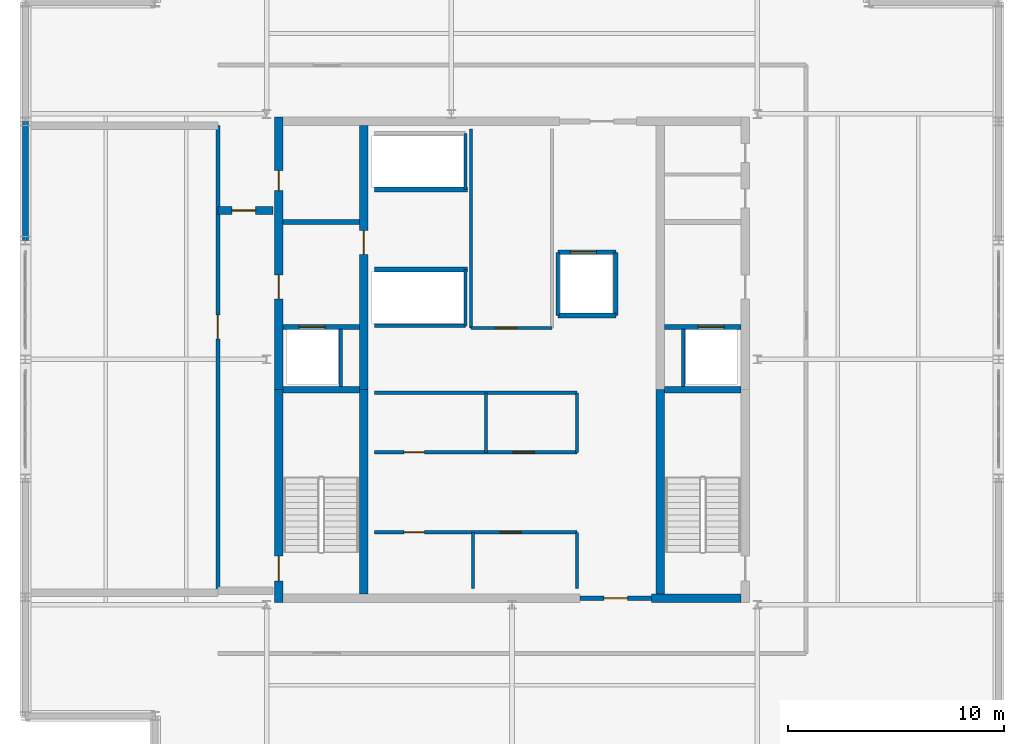
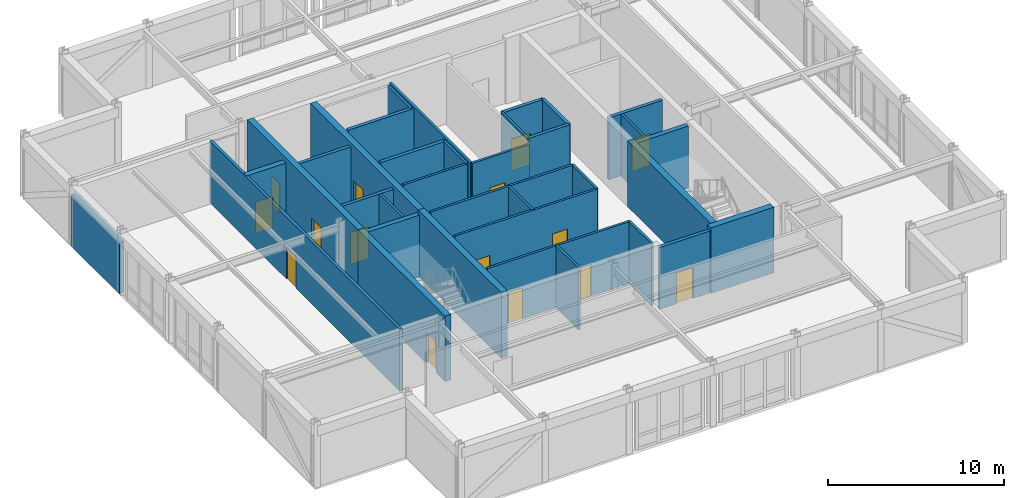
# One storey, part 7 of 9: 35 walls, 15 doors, 15 openings.
"""IFC4 building model written with IfcOpenShell, lengths in metres."""

import ifcopenshell
import ifcopenshell.guid

model = None  # the IFC model being written
_history = None  # IfcOwnerHistory: only IFC2X3 demands one
_inside = {}  # id of a spatial element -> (the spatial element, [elements in it])
_under = {}  # id of a project, library or spatial element -> (it, [spatial elements below it])
_declared = {}  # id of a project -> (the project, [libraries it declares])
_typed = {}  # id of a type object -> (the type object, [elements of that type])
_made_of = {}  # id of a material, layer set ... -> (it, [elements and type objects made of it])


def new_model(schema):
    """Start an empty IFC model of exactly this schema.

    Asked for "IFC4X3", IfcOpenShell would pick the latest addendum, in which some entities
    have other attributes; the version numbers below select the first issue.
    IFC2X3 requires an IfcOwnerHistory on every rooted entity: one is made here for all.
    """
    global model, _history
    if schema == "IFC4X3":
        model = ifcopenshell.file(schema_version=(4, 3, 0, 0))
    else:
        model = ifcopenshell.file(schema=schema)
    _inside.clear()
    _under.clear()
    _declared.clear()
    _typed.clear()
    _made_of.clear()
    _history = None
    if model.schema == "IFC2X3":
        org = make("IfcOrganization", Name="unknown")
        user = make(
            "IfcPersonAndOrganization",
            ThePerson=make("IfcPerson", FamilyName="unknown"),
            TheOrganization=org,
        )
        app = make(
            "IfcApplication",
            ApplicationDeveloper=org,
            Version="unknown",
            ApplicationFullName="unknown",
            ApplicationIdentifier="unknown",
        )
        _history = make(
            "IfcOwnerHistory",
            OwningUser=user,
            OwningApplication=app,
            ChangeAction="ADDED",
            CreationDate=0,
        )
    return model


def make(cls, **values):
    """One entity of the class cls with the attributes given. An attribute that is None is left unset."""
    return model.create_entity(
        cls, **{name: value for name, value in values.items() if value is not None}
    )


def rooted(cls, **values):
    """An entity with a GlobalId (a new one), such as an element, a storey or a relation."""
    return make(cls, GlobalId=ifcopenshell.guid.new(), OwnerHistory=_history, **values)


def si_unit(unit_type, name, prefix=None):
    """IfcSIUnit, for example si_unit("LENGTHUNIT", "METRE", prefix="MILLI")."""
    return make("IfcSIUnit", UnitType=unit_type, Prefix=prefix, Name=name)


def assignment(units):
    """IfcUnitAssignment: the units of a project."""
    return None if units is None else make("IfcUnitAssignment", Units=units)


def point(xyz):
    """IfcCartesianPoint."""
    return None if xyz is None else make("IfcCartesianPoint", Coordinates=xyz)


def direction(xyz):
    """IfcDirection."""
    return None if xyz is None else make("IfcDirection", DirectionRatios=xyz)


def frame(location, z_axis=None, x_axis=None):
    """IfcAxis2Placement3D, a coordinate frame: its origin and axes. An axis left out is left unset."""
    return make(
        "IfcAxis2Placement3D",
        Location=point(location),
        Axis=direction(z_axis),
        RefDirection=direction(x_axis),
    )


def frame_2d(location, x_axis=None):
    """IfcAxis2Placement2D, a coordinate frame in the plane: its origin and x axis."""
    return make(
        "IfcAxis2Placement2D", Location=point(location), RefDirection=direction(x_axis)
    )


def origin():
    """The frame at (0, 0, 0) with its axes left unset."""
    return frame((0.0, 0.0, 0.0))


def place(relative_to, where):
    """IfcLocalPlacement: puts the frame where relative to a parent placement (None: the world)."""
    return make(
        "IfcLocalPlacement", PlacementRelTo=relative_to, RelativePlacement=where
    )


def context(
    kind, dimensions, precision=None, world=None, true_north=None, identifier=None
):
    """IfcGeometricRepresentationContext, for example the 3D "Model" context."""
    return make(
        "IfcGeometricRepresentationContext",
        ContextIdentifier=identifier,
        ContextType=kind,
        CoordinateSpaceDimension=dimensions,
        Precision=precision,
        WorldCoordinateSystem=world,
        TrueNorth=true_north,
    )


def subcontext(parent, identifier, kind, view, scale=None):
    """IfcGeometricRepresentationSubContext, for example "Body" below "Model"."""
    return make(
        "IfcGeometricRepresentationSubContext",
        ContextIdentifier=identifier,
        ContextType=kind,
        ParentContext=parent,
        TargetScale=scale,
        TargetView=view,
    )


def project(units=None, contexts=None):
    """IfcProject with its units and contexts."""
    return rooted(
        "IfcProject",
        Name="project",
        RepresentationContexts=contexts,
        UnitsInContext=assignment(units),
    )


def spatial(cls, under=None, at=None, **own):
    """A site, building, storey or space (cls), placed at a placement, below another one or the project."""
    s = rooted(cls, ObjectPlacement=at, **own)
    if under is not None:
        _under.setdefault(under.id(), (under, []))[1].append(s)
    return s


def profile(cls, at=None, kind="AREA", **sizes):
    """A parametric profile (cls). Its sizes go by their IFC names, for example OverallWidth=200.0."""
    return make(cls, ProfileType=kind, Position=at, **sizes)


def rectangle(**sizes):
    """IfcRectangleProfileDef."""
    return profile("IfcRectangleProfileDef", **sizes)


def extrude(swept, where, along, depth):
    """IfcExtrudedAreaSolid: the profile swept, set in the frame where, extruded along a direction by depth."""
    return make(
        "IfcExtrudedAreaSolid",
        SweptArea=swept,
        Position=where,
        ExtrudedDirection=direction(along),
        Depth=depth,
    )


def shape(context_of_items, identifier, shape_type, items):
    """IfcShapeRepresentation: the items that make up one representation, for example the "Body"."""
    return make(
        "IfcShapeRepresentation",
        ContextOfItems=context_of_items,
        RepresentationIdentifier=identifier,
        RepresentationType=shape_type,
        Items=items,
    )


def material(Name=None, Category=None):
    """IfcMaterial."""
    return make("IfcMaterial", Name=Name, Category=Category)


def layer(
    of_material, thickness, ventilated=None, Name=None, Category=None, Priority=None
):
    """IfcMaterialLayer: one layer of a wall or slab, of a material (None: an air gap)."""
    return make(
        "IfcMaterialLayer",
        Material=of_material,
        LayerThickness=thickness,
        IsVentilated=ventilated,
        Name=Name,
        Category=Category,
        Priority=Priority,
    )


def layer_set(layers, Name=None):
    """IfcMaterialLayerSet."""
    return make("IfcMaterialLayerSet", MaterialLayers=layers, LayerSetName=Name)


def made_of(thing, what):
    """Note that an element or type object is made of a material, layer set ...; save() writes the relation."""
    if what is not None:
        _made_of.setdefault(what.id(), (what, []))[1].append(thing)
    return thing


def type_object(cls, material=None, **own):
    """A type object (cls), such as IfcWallType, which elements share."""
    return made_of(rooted(cls, **own), material)


def element(
    cls,
    number,
    at=None,
    inside=None,
    cuts=None,
    type_object=None,
    material=None,
    context=None,
    identifier="Body",
    shape_type=None,
    held_by="IfcProductDefinitionShape",
    body=None,
    shapes=None,
    **own,
):
    """One element of the class cls, such as IfcWall. Its Tag is "e" and its number.

    at: its placement. inside: the storey or other place that contains it. cuts: it is an
    opening in that element (IfcRelVoidsElement). A single representation is given by context,
    identifier, shape_type and body (its items); several are given by shapes. held_by: the class
    of the entity that holds the representations. save() writes the other relations.
    """
    e = rooted(cls, Tag="e%d" % number, ObjectPlacement=at, **own)
    if body is not None:
        shapes = [shape(context, identifier, shape_type, body)]
    if shapes is not None:
        e.Representation = make(held_by, Representations=shapes)
    if inside is not None:
        _inside.setdefault(inside.id(), (inside, []))[1].append(e)
    if cuts is not None:
        rooted(
            "IfcRelVoidsElement", RelatingBuildingElement=cuts, RelatedOpeningElement=e
        )
    if type_object is not None:
        _typed.setdefault(type_object.id(), (type_object, []))[1].append(e)
    return made_of(e, material)


def fill(opening, filler):
    """IfcRelFillsElement: the door or window that sits in an opening."""
    return rooted(
        "IfcRelFillsElement",
        RelatingOpeningElement=opening,
        RelatedBuildingElement=filler,
    )


def aggregate(whole, parts):
    """IfcRelAggregates: a whole, such as a stair, and the parts it consists of."""
    return rooted("IfcRelAggregates", RelatingObject=whole, RelatedObjects=parts)


def save(model, path):
    """Write the relations noted so far, then the file.

    IfcRelAggregates (storeys below a building ...), IfcRelContainedInSpatialStructure (elements
    in a storey), IfcRelDefinesByType, IfcRelAssociatesMaterial and IfcRelDeclares: one each for
    every whole, place, type object, material and project.
    """
    for whole, parts in _under.values():
        aggregate(whole, parts)
    for where, things in _inside.values():
        rooted(
            "IfcRelContainedInSpatialStructure",
            RelatedElements=things,
            RelatingStructure=where,
        )
    for kind, things in _typed.values():
        rooted("IfcRelDefinesByType", RelatedObjects=things, RelatingType=kind)
    for what, things in _made_of.values():
        rooted("IfcRelAssociatesMaterial", RelatedObjects=things, RelatingMaterial=what)
    for by, libraries in _declared.values():
        rooted("IfcRelDeclares", RelatingContext=by, RelatedDefinitions=libraries)
    model.write(path)


model = new_model("IFC4")

# Units and contexts
model_context = context("Model", 3, precision=1e-05, world=origin(), true_north=direction((0.0, 1.0)))
body_context = subcontext(model_context, "Body", "Model", "MODEL_VIEW")
ifc_project = project(units=[si_unit("LENGTHUNIT", "METRE"), si_unit("AREAUNIT", "SQUARE_METRE"), si_unit("VOLUMEUNIT", "CUBIC_METRE"), si_unit("PLANEANGLEUNIT", "RADIAN"), si_unit("MASSUNIT", "GRAM", prefix="KILO")], contexts=[model_context])

# Site, building, storey
site_placement = place(None, origin())
site = spatial("IfcSite", under=ifc_project, at=site_placement, CompositionType="ELEMENT")
building_placement = place(site_placement, origin())
building = spatial("IfcBuilding", under=site, at=building_placement, Name="Nhamokura Convention Tower", CompositionType="ELEMENT")
storey_placement = place(building_placement, frame((0.0, 0.0, 313.25)))
storey = spatial("IfcBuildingStorey", under=building, at=storey_placement, Name="L77", CompositionType="ELEMENT", Elevation=313.25)

# Wall
ifc_material_1 = material(Name="Bronze-pigmented precast concrete C45/55", Category="concrete")
ifc_layer_1 = layer(ifc_material_1, 0.280029296875)
ifc_layer_set_1 = layer_set([ifc_layer_1], Name="BronzePrecastSpandrel_280")
wall_type_1 = type_object("IfcWallType", Name="BronzePrecastSpandrel_280", PredefinedType="USERDEFINED", material=ifc_layer_set_1)
wall_1_placement = place(storey_placement, frame((9.5, 37.5, 0.0), z_axis=(0.0, 0.0, 1.0), x_axis=(0.0, 1.0, 0.0)))
element("IfcWall", 1, at=wall_1_placement, inside=storey, type_object=wall_type_1, Name="L77 Crown Wall WEST 4", ObjectType="SPANDREL_WALL", PredefinedType="USERDEFINED", context=body_context, shape_type="SweptSolid", body=[
    extrude(rectangle(XDim=5.5, YDim=0.280029296875, at=frame_2d((2.75, 0.0))), origin(), (0.0, 0.0, 1.0), 3.570068359375),
])

# Wall, opening, door
ifc_material_2 = material(Name="Concrete C50/60", Category="concrete")
ifc_layer_2 = layer(ifc_material_2, 0.39990234375)
ifc_layer_set_2 = layer_set([ifc_layer_2], Name="CoreShearWall_400")
wall_type_2 = type_object("IfcWallType", Name="CoreShearWall_400", PredefinedType="SHEAR", material=ifc_layer_set_2)
wall_2_placement = place(storey_placement, frame((21.2099609375, 20.75, 0.0), z_axis=(0.0, 0.0, 1.0), x_axis=(0.0, 1.0, 0.0)))
wall_2 = element("IfcWall", 2, at=wall_2_placement, inside=storey, type_object=wall_type_2, Name="L77 Core Shear Wall CW-WS", PredefinedType="SHEAR", context=body_context, shape_type="SweptSolid", body=[
    extrude(rectangle(XDim=9.85009765625, YDim=0.39990234375, at=frame_2d((4.925048828125, 0.0))), origin(), (0.0, 0.0, 1.0), 4.550048828125),
])
opening_1_placement = place(wall_2_placement, frame((1.0, 0.0, 0.0)))
opening_1 = element("IfcOpeningElement", 3, at=opening_1_placement, cuts=wall_2, Name="Opening D-04", PredefinedType="OPENING", context=body_context, shape_type="SweptSolid", body=[
    extrude(rectangle(XDim=1.14990234375, YDim=2.14990234375, at=frame_2d((0.574951171875, 1.074951171875))), frame((0.0, 0.2099609375, 0.0), z_axis=(0.0, -1.0, 0.0), x_axis=(1.0, 0.0, 0.0)), (0.0, 0.0, 1.0), 0.419921875),
])
ifc_material_3 = material(Name="Fire-rated steel door", Category="steel")
door_type_1 = type_object("IfcDoorType", Name="StairSmokeDoor_1150", OperationType="NOTDEFINED", PredefinedType="DOOR", material=ifc_material_3)
door_1_placement = place(opening_1_placement, origin())
door_1 = element("IfcDoor", 4, at=door_1_placement, inside=storey, type_object=door_type_1, Name="L77 Core Door INT-L77-D-ST01", OperationType="SINGLE_SWING_LEFT", OverallHeight=2.14990234375, OverallWidth=1.14990234375, PredefinedType="DOOR", context=body_context, shape_type="SweptSolid", body=[
    extrude(rectangle(XDim=1.14990234375, YDim=2.14990234375, at=frame_2d((0.574951171875, 1.074951171875))), frame((0.0, 0.02490234375, 0.0), z_axis=(0.0, -1.0, 0.0), x_axis=(1.0, 0.0, 0.0)), (0.0, 0.0, 1.0), 0.050048828125),
])
fill(opening_1, door_1)

# Wall, openings, doors
wall_3_placement = place(storey_placement, frame((21.2099609375, 30.60009765625, 0.0), z_axis=(0.0, 0.0, 1.0), x_axis=(0.0, 1.0, 0.0)))
wall_3 = element("IfcWall", 5, at=wall_3_placement, inside=storey, type_object=wall_type_2, Name="L77 Core Shear Wall CW-WN", PredefinedType="SHEAR", context=body_context, shape_type="SweptSolid", body=[
    extrude(rectangle(XDim=12.599853515625, YDim=0.39990234375, at=frame_2d((6.2998046875, 0.0))), origin(), (0.0, 0.0, 1.0), 4.550048828125),
])
opening_2_placement = place(wall_3_placement, frame((4.199951171875, 0.0, 0.0)))
opening_2 = element("IfcOpeningElement", 6, at=opening_2_placement, cuts=wall_3, Name="Opening D-05", PredefinedType="OPENING", context=body_context, shape_type="SweptSolid", body=[
    extrude(rectangle(XDim=1.10009765625, YDim=2.14990234375, at=frame_2d((0.550048828125, 1.074951171875))), frame((0.0, 0.2099609375, 0.0), z_axis=(0.0, -1.0, 0.0), x_axis=(1.0, 0.0, 0.0)), (0.0, 0.0, 1.0), 0.419921875),
])
opening_3_placement = place(wall_3_placement, frame((9.199951171875, 0.0, 0.0)))
opening_3 = element("IfcOpeningElement", 7, at=opening_3_placement, cuts=wall_3, Name="Opening D-10", PredefinedType="OPENING", context=body_context, shape_type="SweptSolid", body=[
    extrude(rectangle(XDim=0.919921875, YDim=2.10009765625, at=frame_2d((0.4599609375, 1.050048828125))), frame((0.0, 0.2099609375, 0.0), z_axis=(0.0, -1.0, 0.0), x_axis=(1.0, 0.0, 0.0)), (0.0, 0.0, 1.0), 0.419921875),
])
ifc_material_4 = material(Name="Solid oak hardwood", Category="wood")
door_type_2 = type_object("IfcDoorType", Name="AccessibleWCDoor_920", OperationType="NOTDEFINED", PredefinedType="DOOR", material=ifc_material_4)
door_2_placement = place(opening_3_placement, origin())
door_2 = element("IfcDoor", 8, at=door_2_placement, inside=storey, type_object=door_type_2, Name="L77 Core Door INT-L77-D-AWC", OperationType="SINGLE_SWING_LEFT", OverallHeight=2.10009765625, OverallWidth=0.919921875, PredefinedType="DOOR", context=body_context, shape_type="SweptSolid", body=[
    extrude(rectangle(XDim=0.919921875, YDim=2.10009765625, at=frame_2d((0.4599609375, 1.050048828125))), frame((0.0, 0.02490234375, 0.0), z_axis=(0.0, -1.0, 0.0), x_axis=(1.0, 0.0, 0.0)), (0.0, 0.0, 1.0), 0.050048828125),
])
fill(opening_3, door_2)
ifc_material_5 = material(Name="Fire-rated steel door", Category="steel")
door_type_3 = type_object("IfcDoorType", Name="FireLobbyDoor_1100", OperationType="NOTDEFINED", PredefinedType="DOOR", material=ifc_material_5)
door_3_placement = place(opening_2_placement, origin())
door_3 = element("IfcDoor", 9, at=door_3_placement, inside=storey, type_object=door_type_3, Name="L77 Core Door INT-L77-D-FFLW", OperationType="SINGLE_SWING_RIGHT", OverallHeight=2.14990234375, OverallWidth=1.10009765625, PredefinedType="DOOR", context=body_context, shape_type="SweptSolid", body=[
    extrude(rectangle(XDim=1.10009765625, YDim=2.14990234375, at=frame_2d((0.550048828125, 1.074951171875))), frame((0.0, 0.02490234375, 0.0), z_axis=(0.0, -1.0, 0.0), x_axis=(1.0, 0.0, 0.0)), (0.0, 0.0, 1.0), 0.050048828125),
])
fill(opening_2, door_3)

# Walls
wall_4_placement = place(storey_placement, frame((38.449951171875, 20.949951171875, 0.0), z_axis=(0.0, 0.0, 1.0), x_axis=(1.0, 0.0, 0.0)))
element("IfcWall", 10, at=wall_4_placement, inside=storey, type_object=wall_type_2, Name="L77 Core Shear Wall CW-S2", PredefinedType="SHEAR", context=body_context, shape_type="SweptSolid", body=[
    extrude(rectangle(XDim=4.14013671875, YDim=0.39990234375, at=frame_2d((2.070068359375, 0.0))), origin(), (0.0, 0.0, 1.0), 4.550048828125),
])
wall_5_placement = place(storey_placement, frame((25.139892578125, 21.14990234375, 0.0), z_axis=(0.0, 0.0, 1.0), x_axis=(0.0, 1.0, 0.0)))
element("IfcWall", 11, at=wall_5_placement, inside=storey, type_object=wall_type_2, Name="L77 Core Shear Wall CW-IWS", PredefinedType="SHEAR", context=body_context, shape_type="SweptSolid", body=[
    extrude(rectangle(XDim=9.4501953125, YDim=0.39990234375, at=frame_2d((4.72509765625, 0.0))), origin(), (0.0, 0.0, 1.0), 4.550048828125),
])

# Wall, opening, door
wall_6_placement = place(storey_placement, frame((25.139892578125, 30.60009765625, 0.0), z_axis=(0.0, 0.0, 1.0), x_axis=(0.0, 1.0, 0.0)))
wall_6 = element("IfcWall", 12, at=wall_6_placement, inside=storey, type_object=wall_type_2, Name="L77 Core Shear Wall CW-IWN", PredefinedType="SHEAR", context=body_context, shape_type="SweptSolid", body=[
    extrude(rectangle(XDim=12.199951171875, YDim=0.39990234375, at=frame_2d((6.10009765625, 0.0))), origin(), (0.0, 0.0, 1.0), 4.550048828125),
])
opening_4_placement = place(wall_6_placement, frame((6.25, 0.0, 0.0)))
opening_4 = element("IfcOpeningElement", 13, at=opening_4_placement, cuts=wall_6, Name="Opening D-05", PredefinedType="OPENING", context=body_context, shape_type="SweptSolid", body=[
    extrude(rectangle(XDim=1.10009765625, YDim=2.14990234375, at=frame_2d((0.550048828125, 1.074951171875))), frame((0.0, 0.2099609375, 0.0), z_axis=(0.0, -1.0, 0.0), x_axis=(1.0, 0.0, 0.0)), (0.0, 0.0, 1.0), 0.419921875),
])
door_4_placement = place(opening_4_placement, origin())
door_4 = element("IfcDoor", 14, at=door_4_placement, inside=storey, type_object=door_type_3, Name="L77 Core Door INT-L77-D-B3LOB", OperationType="SINGLE_SWING_LEFT", OverallHeight=2.14990234375, OverallWidth=1.10009765625, PredefinedType="DOOR", context=body_context, shape_type="SweptSolid", body=[
    extrude(rectangle(XDim=1.10009765625, YDim=2.14990234375, at=frame_2d((0.550048828125, 1.074951171875))), frame((0.0, 0.02490234375, 0.0), z_axis=(0.0, -1.0, 0.0), x_axis=(1.0, 0.0, 0.0)), (0.0, 0.0, 1.0), 0.050048828125),
])
fill(opening_4, door_4)

# Wall
wall_7_placement = place(storey_placement, frame((38.860107421875, 21.14990234375, 0.0), z_axis=(0.0, 0.0, 1.0), x_axis=(0.0, 1.0, 0.0)))
element("IfcWall", 15, at=wall_7_placement, inside=storey, type_object=wall_type_2, Name="L77 Core Shear Wall CW-IES", PredefinedType="SHEAR", context=body_context, shape_type="SweptSolid", body=[
    extrude(rectangle(XDim=9.4501953125, YDim=0.39990234375, at=frame_2d((4.72509765625, 0.0))), origin(), (0.0, 0.0, 1.0), 4.550048828125),
])

# Wall, opening, door
ifc_material_6 = material(Name="Fire-rated gypsum and masonry partition", Category="masonry")
ifc_layer_3 = layer(ifc_material_6, 0.179931640625)
ifc_layer_set_3 = layer_set([ifc_layer_3], Name="CorridorRatedWall_180")
wall_type_3 = type_object("IfcWallType", Name="CorridorRatedWall_180", PredefinedType="STANDARD", material=ifc_layer_set_3)
wall_8_placement = place(storey_placement, frame((18.39990234375, 21.199951171875, 0.0), z_axis=(0.0, 0.0, 1.0), x_axis=(0.0, 1.0, 0.0)))
wall_8 = element("IfcWall", 16, at=wall_8_placement, inside=storey, type_object=wall_type_3, Name="L77 Wall INT-L77-CW-W00", PredefinedType="STANDARD", context=body_context, shape_type="SweptSolid", body=[
    extrude(rectangle(XDim=21.60009765625, YDim=0.179931640625, at=frame_2d((10.800048828125, 0.0))), origin(), (0.0, 0.0, 1.0), 4.2900390625),
])
opening_5_placement = place(wall_8_placement, frame((11.75, 0.0, 0.0)))
opening_5 = element("IfcOpeningElement", 17, at=opening_5_placement, cuts=wall_8, Name="Opening D-05", PredefinedType="OPENING", context=body_context, shape_type="SweptSolid", body=[
    extrude(rectangle(XDim=1.10009765625, YDim=2.14990234375, at=frame_2d((0.550048828125, 1.074951171875))), frame((0.0, 0.099853515625, 0.0), z_axis=(0.0, -1.0, 0.0), x_axis=(1.0, 0.0, 0.0)), (0.0, 0.0, 1.0), 0.199951171875),
])
door_5_placement = place(opening_5_placement, origin())
door_5 = element("IfcDoor", 18, at=door_5_placement, inside=storey, type_object=door_type_3, Name="L77 Glycol Heat-Recovery Plant W01 Door", OperationType="SINGLE_SWING_LEFT", OverallHeight=2.14990234375, OverallWidth=1.10009765625, PredefinedType="DOOR", context=body_context, shape_type="SweptSolid", body=[
    extrude(rectangle(XDim=1.10009765625, YDim=2.14990234375, at=frame_2d((0.550048828125, 1.074951171875))), frame((0.0, 0.02490234375, 0.0), z_axis=(0.0, -1.0, 0.0), x_axis=(1.0, 0.0, 0.0)), (0.0, 0.0, 1.0), 0.050048828125),
])
fill(opening_5, door_5)

ifc_material_7 = material(Name="Autoclaved concrete blockwork", Category="masonry")
ifc_layer_4 = layer(ifc_material_7, 0.219970703125)
ifc_layer_set_4 = layer_set([ifc_layer_4], Name="FireLobbyWall_220")
wall_type_4 = type_object("IfcWallType", Name="FireLobbyWall_220", PredefinedType="STANDARD", material=ifc_layer_set_4)
wall_9_placement = place(storey_placement, frame((21.409912109375, 33.5, 0.0), z_axis=(0.0, 0.0, 1.0), x_axis=(1.0, 0.0, 0.0)))
wall_9 = element("IfcWall", 19, at=wall_9_placement, inside=storey, type_object=wall_type_4, Name="L77 Wall INT-L77-FFW-S", PredefinedType="STANDARD", context=body_context, shape_type="SweptSolid", body=[
    extrude(rectangle(XDim=3.530029296875, YDim=0.219970703125, at=frame_2d((1.76513671875, 0.0))), origin(), (0.0, 0.0, 1.0), 4.2900390625),
])
opening_6_placement = place(wall_9_placement, frame((0.75, 0.0, 0.0)))
opening_6 = element("IfcOpeningElement", 20, at=opening_6_placement, cuts=wall_9, Name="Opening LD-02", PredefinedType="OPENING", context=body_context, shape_type="SweptSolid", body=[
    extrude(rectangle(XDim=1.199951171875, YDim=2.199951171875, at=frame_2d((0.60009765625, 1.10009765625))), frame((0.0, 0.119873046875, 0.0), z_axis=(0.0, -1.0, 0.0), x_axis=(1.0, 0.0, 0.0)), (0.0, 0.0, 1.0), 0.239990234375),
])
ifc_material_8 = material(Name="Anodised bronze stainless steel", Category="steel")
door_type_4 = type_object("IfcDoorType", Name="LiftLandingDoor_FireService", OperationType="DOUBLE_DOOR_SLIDING", PredefinedType="DOOR", material=ifc_material_8)
door_6_placement = place(opening_6_placement, origin())
door_6 = element("IfcDoor", 21, at=door_6_placement, inside=storey, type_object=door_type_4, Name="L77 Firefighting Lift LF-01 Door", OperationType="DOUBLE_DOOR_SLIDING", OverallHeight=2.199951171875, OverallWidth=1.199951171875, PredefinedType="DOOR", context=body_context, shape_type="SweptSolid", body=[
    extrude(rectangle(XDim=1.199951171875, YDim=2.199951171875, at=frame_2d((0.60009765625, 1.10009765625))), frame((0.0, 0.02490234375, 0.0), z_axis=(0.0, -1.0, 0.0), x_axis=(1.0, 0.0, 0.0)), (0.0, 0.0, 1.0), 0.050048828125),
])
fill(opening_6, door_6)

wall_10_placement = place(storey_placement, frame((39.06005859375, 33.5, 0.0), z_axis=(0.0, 0.0, 1.0), x_axis=(1.0, 0.0, 0.0)))
wall_10 = element("IfcWall", 22, at=wall_10_placement, inside=storey, type_object=wall_type_4, Name="L77 Wall INT-L77-FFE-S", PredefinedType="STANDARD", context=body_context, shape_type="SweptSolid", body=[
    extrude(rectangle(XDim=3.530029296875, YDim=0.219970703125, at=frame_2d((1.76513671875, 0.0))), origin(), (0.0, 0.0, 1.0), 4.2900390625),
])
opening_7_placement = place(wall_10_placement, frame((1.550048828125, 0.0, 0.0)))
opening_7 = element("IfcOpeningElement", 23, at=opening_7_placement, cuts=wall_10, Name="Opening LD-02", PredefinedType="OPENING", context=body_context, shape_type="SweptSolid", body=[
    extrude(rectangle(XDim=1.199951171875, YDim=2.199951171875, at=frame_2d((0.60009765625, 1.10009765625))), frame((0.0, 0.119873046875, 0.0), z_axis=(0.0, -1.0, 0.0), x_axis=(1.0, 0.0, 0.0)), (0.0, 0.0, 1.0), 0.239990234375),
])
door_7_placement = place(opening_7_placement, origin())
door_7 = element("IfcDoor", 24, at=door_7_placement, inside=storey, type_object=door_type_4, Name="L77 Firefighting Lift LF-02 Door", OperationType="DOUBLE_DOOR_SLIDING", OverallHeight=2.199951171875, OverallWidth=1.199951171875, PredefinedType="DOOR", context=body_context, shape_type="SweptSolid", body=[
    extrude(rectangle(XDim=1.199951171875, YDim=2.199951171875, at=frame_2d((0.60009765625, 1.10009765625))), frame((0.0, 0.02490234375, 0.0), z_axis=(0.0, -1.0, 0.0), x_axis=(1.0, 0.0, 0.0)), (0.0, 0.0, 1.0), 0.050048828125),
])
fill(opening_7, door_7)

# Wall
wall_11_placement = place(storey_placement, frame((21.409912109375, 38.35009765625, 0.0), z_axis=(0.0, 0.0, 1.0), x_axis=(1.0, 0.0, 0.0)))
element("IfcWall", 25, at=wall_11_placement, inside=storey, type_object=wall_type_4, Name="L77 Wall INT-L77-FFW-N", PredefinedType="STANDARD", context=body_context, shape_type="SweptSolid", body=[
    extrude(rectangle(XDim=3.530029296875, YDim=0.219970703125, at=frame_2d((1.76513671875, 0.0))), origin(), (0.0, 0.0, 1.0), 4.2900390625),
])

# Wall, opening, door
wall_12_placement = place(storey_placement, frame((35.14990234375, 20.949951171875, 0.0), z_axis=(0.0, 0.0, 1.0), x_axis=(1.0, 0.0, 0.0)))
wall_12 = element("IfcWall", 26, at=wall_12_placement, inside=storey, type_object=wall_type_4, Name="L77 Wall INT-L77-SPORT-S", PredefinedType="STANDARD", context=body_context, shape_type="SweptSolid", body=[
    extrude(rectangle(XDim=3.300048828125, YDim=0.219970703125, at=frame_2d((1.64990234375, 0.0))), origin(), (0.0, 0.0, 1.0), 4.2900390625),
])
opening_8_placement = place(wall_12_placement, frame((1.10009765625, 0.0, 0.0)))
opening_8 = element("IfcOpeningElement", 27, at=opening_8_placement, cuts=wall_12, Name="Opening D-05", PredefinedType="OPENING", context=body_context, shape_type="SweptSolid", body=[
    extrude(rectangle(XDim=1.10009765625, YDim=2.14990234375, at=frame_2d((0.550048828125, 1.074951171875))), frame((0.0, 0.119873046875, 0.0), z_axis=(0.0, -1.0, 0.0), x_axis=(1.0, 0.0, 0.0)), (0.0, 0.0, 1.0), 0.239990234375),
])
door_8_placement = place(opening_8_placement, origin())
door_8 = element("IfcDoor", 28, at=door_8_placement, inside=storey, type_object=door_type_3, Name="L77 South Core Lobby Portal Door", OperationType="SINGLE_SWING_LEFT", OverallHeight=2.14990234375, OverallWidth=1.10009765625, PredefinedType="DOOR", context=body_context, shape_type="SweptSolid", body=[
    extrude(rectangle(XDim=1.10009765625, YDim=2.14990234375, at=frame_2d((0.550048828125, 1.074951171875))), frame((0.0, 0.02490234375, 0.0), z_axis=(0.0, -1.0, 0.0), x_axis=(1.0, 0.0, 0.0)), (0.0, 0.0, 1.0), 0.050048828125),
])
fill(opening_8, door_8)

# Walls
for number, where, z_axis, x_axis, name in (
    (29, (25.64990234375, 36.14990234375, 0.0), (0.0, 0.0, 1.0), (1.0, 0.0, 0.0), "L77 Wall INT-L77-B3S"),
    (30, (25.64990234375, 39.85009765625, 0.0), (0.0, 0.0, 1.0), (1.0, 0.0, 0.0), "L77 Wall INT-L77-B3N"),
):
    element("IfcWall", number, at=place(storey_placement, frame(where, z_axis=z_axis, x_axis=x_axis)), inside=storey, type_object=wall_type_4, Name=name, PredefinedType="STANDARD", context=body_context, shape_type="SweptSolid", body=[
        extrude(rectangle(XDim=4.300048828125, YDim=0.219970703125, at=frame_2d((2.14990234375, 0.0))), origin(), (0.0, 0.0, 1.0), 4.2900390625),
    ])

# Wall, opening, door
wall_13_placement = place(storey_placement, frame((34.1201171875, 36.949951171875, 0.0), z_axis=(0.0, 0.0, 1.0), x_axis=(1.0, 0.0, 0.0)))
wall_13 = element("IfcWall", 31, at=wall_13_placement, inside=storey, type_object=wall_type_4, Name="L77 Wall INT-L77-LSN", PredefinedType="STANDARD", context=body_context, shape_type="SweptSolid", body=[
    extrude(rectangle(XDim=2.679931640625, YDim=0.219970703125, at=frame_2d((1.33984375, 0.0))), origin(), (0.0, 0.0, 1.0), 4.2900390625),
])
opening_9_placement = place(wall_13_placement, frame((0.580078125, 0.0, 0.0)))
opening_9 = element("IfcOpeningElement", 32, at=opening_9_placement, cuts=wall_13, Name="Opening LD-02", PredefinedType="OPENING", context=body_context, shape_type="SweptSolid", body=[
    extrude(rectangle(XDim=1.199951171875, YDim=2.199951171875, at=frame_2d((0.60009765625, 1.10009765625))), frame((0.0, 0.119873046875, 0.0), z_axis=(0.0, -1.0, 0.0), x_axis=(1.0, 0.0, 0.0)), (0.0, 0.0, 1.0), 0.239990234375),
])
door_9_placement = place(opening_9_placement, origin())
door_9 = element("IfcDoor", 33, at=door_9_placement, inside=storey, type_object=door_type_4, Name="L77 Service Lift LS-01 Door", OperationType="DOUBLE_DOOR_SLIDING", OverallHeight=2.199951171875, OverallWidth=1.199951171875, PredefinedType="DOOR", context=body_context, shape_type="SweptSolid", body=[
    extrude(rectangle(XDim=1.199951171875, YDim=2.199951171875, at=frame_2d((0.60009765625, 1.10009765625))), frame((0.0, 0.02490234375, 0.0), z_axis=(0.0, -1.0, 0.0), x_axis=(1.0, 0.0, 0.0)), (0.0, 0.0, 1.0), 0.050048828125),
])
fill(opening_9, door_9)

# Walls
wall_14_placement = place(storey_placement, frame((36.800048828125, 34.02001953125, 0.0), z_axis=(0.0, 0.0, 1.0), x_axis=(0.0, 1.0, 0.0)))
element("IfcWall", 34, at=wall_14_placement, inside=storey, type_object=wall_type_4, Name="L77 Wall INT-L77-LSE", PredefinedType="STANDARD", context=body_context, shape_type="SweptSolid", body=[
    extrude(rectangle(XDim=2.929931640625, YDim=0.219970703125, at=frame_2d((1.46484375, 0.0))), origin(), (0.0, 0.0, 1.0), 4.2900390625),
])
wall_15_placement = place(storey_placement, frame((34.1201171875, 34.02001953125, 0.0), z_axis=(0.0, 0.0, 1.0), x_axis=(1.0, 0.0, 0.0)))
element("IfcWall", 35, at=wall_15_placement, inside=storey, type_object=wall_type_4, Name="L77 Wall INT-L77-LSS", PredefinedType="STANDARD", context=body_context, shape_type="SweptSolid", body=[
    extrude(rectangle(XDim=2.679931640625, YDim=0.219970703125, at=frame_2d((1.33984375, 0.0))), origin(), (0.0, 0.0, 1.0), 4.2900390625),
])

# Wall, opening, door
ifc_material_9 = material(Name="Concrete C50/60", Category="concrete")
ifc_layer_5 = layer(ifc_material_9, 0.35009765625)
ifc_layer_set_5 = layer_set([ifc_layer_5], Name="FirewallPlant_350")
wall_type_5 = type_object("IfcWallType", Name="FirewallPlant_350", PredefinedType="STANDARD", material=ifc_layer_set_5)
wall_16_placement = place(storey_placement, frame((18.39990234375, 38.8798828125, 0.0), z_axis=(0.0, 0.0, 1.0), x_axis=(1.0, 0.0, 0.0)))
wall_16 = element("IfcWall", 36, at=wall_16_placement, inside=storey, type_object=wall_type_5, Name="L77 Wall INT-L77-RLOB-N", PredefinedType="STANDARD", context=body_context, shape_type="SweptSolid", body=[
    extrude(rectangle(XDim=2.550048828125, YDim=0.35009765625, at=frame_2d((1.27490234375, 0.0))), origin(), (0.0, 0.0, 1.0), 4.2900390625),
])
opening_10_placement = place(wall_16_placement, frame((0.64990234375, 0.0, 0.0)))
opening_10 = element("IfcOpeningElement", 37, at=opening_10_placement, cuts=wall_16, Name="Opening D-05", PredefinedType="OPENING", context=body_context, shape_type="SweptSolid", body=[
    extrude(rectangle(XDim=1.10009765625, YDim=2.14990234375, at=frame_2d((0.550048828125, 1.074951171875))), frame((0.0, 0.18505859375, 0.0), z_axis=(0.0, -1.0, 0.0), x_axis=(1.0, 0.0, 0.0)), (0.0, 0.0, 1.0), 0.3701171875),
])
door_10_placement = place(opening_10_placement, origin())
door_10 = element("IfcDoor", 38, at=door_10_placement, inside=storey, type_object=door_type_3, Name="L77 Refuge Lobby North Door", OperationType="SINGLE_SWING_RIGHT", OverallHeight=2.14990234375, OverallWidth=1.10009765625, PredefinedType="DOOR", context=body_context, shape_type="SweptSolid", body=[
    extrude(rectangle(XDim=1.10009765625, YDim=2.14990234375, at=frame_2d((0.550048828125, 1.074951171875))), frame((0.0, 0.02490234375, 0.0), z_axis=(0.0, -1.0, 0.0), x_axis=(1.0, 0.0, 0.0)), (0.0, 0.0, 1.0), 0.050048828125),
])
fill(opening_10, door_10)

# Walls
ifc_material_10 = material(Name="Acoustic gypsum stud partition", Category="masonry")
ifc_layer_6 = layer(ifc_material_10, 0.14990234375)
ifc_layer_set_6 = layer_set([ifc_layer_6], Name="InteriorPartition_150")
wall_type_6 = type_object("IfcWallType", Name="InteriorPartition_150", PredefinedType="STANDARD", material=ifc_layer_set_6)
for number, where, z_axis, x_axis, name in (
    (39, (24.080078125, 30.75, 0.0), (0.0, 0.0, 1.0), (0.0, 1.0, 0.0), "L77 Wall INT-L77-FF1-E"),
    (40, (39.919921875, 30.75, 0.0), (0.0, 0.0, 1.0), (0.0, 1.0, 0.0), "L77 Wall INT-L77-FF2-W"),
):
    element("IfcWall", number, at=place(storey_placement, frame(where, z_axis=z_axis, x_axis=x_axis)), inside=storey, type_object=wall_type_6, Name=name, PredefinedType="STANDARD", context=body_context, shape_type="SweptSolid", body=[
        extrude(rectangle(XDim=2.64990234375, YDim=0.14990234375, at=frame_2d((1.324951171875, 0.0))), origin(), (0.0, 0.0, 1.0), 4.2900390625),
    ])

# Wall, openings, doors
wall_17_placement = place(storey_placement, frame((25.64990234375, 24.0, 0.0), z_axis=(0.0, 0.0, 1.0), x_axis=(1.0, 0.0, 0.0)))
wall_17 = element("IfcWall", 41, at=wall_17_placement, inside=storey, type_object=wall_type_6, Name="L77 Wall INT-L77-B1R-N", PredefinedType="STANDARD", context=body_context, shape_type="SweptSolid", body=[
    extrude(rectangle(XDim=9.35009765625, YDim=0.14990234375, at=frame_2d((4.675048828125, 0.0))), origin(), (0.0, 0.0, 1.0), 4.2900390625),
])
opening_11_placement = place(wall_17_placement, frame((1.35009765625, 0.0, 0.0)))
opening_11 = element("IfcOpeningElement", 42, at=opening_11_placement, cuts=wall_17, Name="Opening D-09", PredefinedType="OPENING", context=body_context, shape_type="SweptSolid", body=[
    extrude(rectangle(XDim=0.949951171875, YDim=2.14990234375, at=frame_2d((0.47509765625, 1.074951171875))), frame((0.0, 0.0849609375, 0.0), z_axis=(0.0, -1.0, 0.0), x_axis=(1.0, 0.0, 0.0)), (0.0, 0.0, 1.0), 0.169921875),
])
opening_12_placement = place(wall_17_placement, frame((5.800048828125, 0.0, 0.0)))
opening_12 = element("IfcOpeningElement", 43, at=opening_12_placement, cuts=wall_17, Name="Opening D-08", PredefinedType="OPENING", context=body_context, shape_type="SweptSolid", body=[
    extrude(rectangle(XDim=0.97998046875, YDim=2.199951171875, at=frame_2d((0.489990234375, 1.10009765625))), frame((0.0, 0.0849609375, 0.0), z_axis=(0.0, -1.0, 0.0), x_axis=(1.0, 0.0, 0.0)), (0.0, 0.0, 1.0), 0.169921875),
])
ifc_material_11 = material(Name="Solid oak hardwood", Category="wood")
door_type_5 = type_object("IfcDoorType", Name="MeetingRoomDoor_950", OperationType="NOTDEFINED", PredefinedType="DOOR", material=ifc_material_11)
door_11_placement = place(opening_11_placement, origin())
door_11 = element("IfcDoor", 44, at=door_11_placement, inside=storey, type_object=door_type_5, Name="L77 Reclaimed Briefing Room Door", OperationType="SINGLE_SWING_RIGHT", OverallHeight=2.14990234375, OverallWidth=0.949951171875, PredefinedType="DOOR", context=body_context, shape_type="SweptSolid", body=[
    extrude(rectangle(XDim=0.949951171875, YDim=2.14990234375, at=frame_2d((0.47509765625, 1.074951171875))), frame((0.0, 0.02490234375, 0.0), z_axis=(0.0, -1.0, 0.0), x_axis=(1.0, 0.0, 0.0)), (0.0, 0.0, 1.0), 0.050048828125),
])
fill(opening_11, door_11)
ifc_material_12 = material(Name="Solid oak hardwood", Category="wood")
door_type_6 = type_object("IfcDoorType", Name="OfficeEntryDoor_980", OperationType="NOTDEFINED", PredefinedType="DOOR", material=ifc_material_12)
door_12_placement = place(opening_12_placement, origin())
door_12 = element("IfcDoor", 45, at=door_12_placement, inside=storey, type_object=door_type_6, Name="L77 Reclaimed Hub Door", OperationType="SINGLE_SWING_LEFT", OverallHeight=2.199951171875, OverallWidth=0.97998046875, PredefinedType="DOOR", context=body_context, shape_type="SweptSolid", body=[
    extrude(rectangle(XDim=0.97998046875, YDim=2.199951171875, at=frame_2d((0.489990234375, 1.10009765625))), frame((0.0, 0.02490234375, 0.0), z_axis=(0.0, -1.0, 0.0), x_axis=(1.0, 0.0, 0.0)), (0.0, 0.0, 1.0), 0.050048828125),
])
fill(opening_12, door_12)

# Walls
for number, where, z_axis, x_axis, name in (
    (46, (30.199951171875, 21.39990234375, 0.0), (0.0, 0.0, 1.0), (0.0, 1.0, 0.0), "L77 Wall INT-L77-B1R-M"),
    (47, (35.0, 21.39990234375, 0.0), (0.0, 0.0, 1.0), (0.0, 1.0, 0.0), "L77 Wall INT-L77-B1R-E"),
):
    element("IfcWall", number, at=place(storey_placement, frame(where, z_axis=z_axis, x_axis=x_axis)), inside=storey, type_object=wall_type_6, Name=name, PredefinedType="STANDARD", context=body_context, shape_type="SweptSolid", body=[
        extrude(rectangle(XDim=2.60009765625, YDim=0.14990234375, at=frame_2d((1.300048828125, 0.0))), origin(), (0.0, 0.0, 1.0), 4.2900390625),
    ])

# Wall, openings, doors
wall_18_placement = place(storey_placement, frame((25.64990234375, 27.699951171875, 0.0), z_axis=(0.0, 0.0, 1.0), x_axis=(1.0, 0.0, 0.0)))
wall_18 = element("IfcWall", 48, at=wall_18_placement, inside=storey, type_object=wall_type_6, Name="L77 Wall INT-L77-B2R-S", PredefinedType="STANDARD", context=body_context, shape_type="SweptSolid", body=[
    extrude(rectangle(XDim=9.35009765625, YDim=0.14990234375, at=frame_2d((4.675048828125, 0.0))), origin(), (0.0, 0.0, 1.0), 4.2900390625),
])
opening_13_placement = place(wall_18_placement, frame((1.35009765625, 0.0, 0.0)))
opening_13 = element("IfcOpeningElement", 49, at=opening_13_placement, cuts=wall_18, Name="Opening D-09", PredefinedType="OPENING", context=body_context, shape_type="SweptSolid", body=[
    extrude(rectangle(XDim=0.949951171875, YDim=2.14990234375, at=frame_2d((0.47509765625, 1.074951171875))), frame((0.0, 0.0849609375, 0.0), z_axis=(0.0, -1.0, 0.0), x_axis=(1.0, 0.0, 0.0)), (0.0, 0.0, 1.0), 0.169921875),
])
opening_14_placement = place(wall_18_placement, frame((6.39990234375, 0.0, 0.0)))
opening_14 = element("IfcOpeningElement", 50, at=opening_14_placement, cuts=wall_18, Name="Opening D-08", PredefinedType="OPENING", context=body_context, shape_type="SweptSolid", body=[
    extrude(rectangle(XDim=0.97998046875, YDim=2.199951171875, at=frame_2d((0.489990234375, 1.10009765625))), frame((0.0, 0.0849609375, 0.0), z_axis=(0.0, -1.0, 0.0), x_axis=(1.0, 0.0, 0.0)), (0.0, 0.0, 1.0), 0.169921875),
])
door_13_placement = place(opening_13_placement, origin())
door_13 = element("IfcDoor", 51, at=door_13_placement, inside=storey, type_object=door_type_5, Name="L77 Caucus Suite Door", OperationType="SINGLE_SWING_RIGHT", OverallHeight=2.14990234375, OverallWidth=0.949951171875, PredefinedType="DOOR", context=body_context, shape_type="SweptSolid", body=[
    extrude(rectangle(XDim=0.949951171875, YDim=2.14990234375, at=frame_2d((0.47509765625, 1.074951171875))), frame((0.0, 0.02490234375, 0.0), z_axis=(0.0, -1.0, 0.0), x_axis=(1.0, 0.0, 0.0)), (0.0, 0.0, 1.0), 0.050048828125),
])
fill(opening_13, door_13)
door_14_placement = place(opening_14_placement, origin())
door_14 = element("IfcDoor", 52, at=door_14_placement, inside=storey, type_object=door_type_6, Name="L77 Summit Pantry Door", OperationType="SINGLE_SWING_LEFT", OverallHeight=2.199951171875, OverallWidth=0.97998046875, PredefinedType="DOOR", context=body_context, shape_type="SweptSolid", body=[
    extrude(rectangle(XDim=0.97998046875, YDim=2.199951171875, at=frame_2d((0.489990234375, 1.10009765625))), frame((0.0, 0.02490234375, 0.0), z_axis=(0.0, -1.0, 0.0), x_axis=(1.0, 0.0, 0.0)), (0.0, 0.0, 1.0), 0.050048828125),
])
fill(opening_14, door_14)

# Walls
wall_19_placement = place(storey_placement, frame((25.64990234375, 30.449951171875, 0.0), z_axis=(0.0, 0.0, 1.0), x_axis=(1.0, 0.0, 0.0)))
element("IfcWall", 53, at=wall_19_placement, inside=storey, type_object=wall_type_6, Name="L77 Wall INT-L77-B2R-N", PredefinedType="STANDARD", context=body_context, shape_type="SweptSolid", body=[
    extrude(rectangle(XDim=9.35009765625, YDim=0.14990234375, at=frame_2d((4.675048828125, 0.0))), origin(), (0.0, 0.0, 1.0), 4.2900390625),
])
for number, where, z_axis, x_axis, name in (
    (54, (30.800048828125, 27.699951171875, 0.0), (0.0, 0.0, 1.0), (0.0, 1.0, 0.0), "L77 Wall INT-L77-B2R-M"),
    (55, (35.0, 27.699951171875, 0.0), (0.0, 0.0, 1.0), (0.0, 1.0, 0.0), "L77 Wall INT-L77-B2R-E"),
):
    element("IfcWall", number, at=place(storey_placement, frame(where, z_axis=z_axis, x_axis=x_axis)), inside=storey, type_object=wall_type_6, Name=name, PredefinedType="STANDARD", context=body_context, shape_type="SweptSolid", body=[
        extrude(rectangle(XDim=2.75, YDim=0.14990234375, at=frame_2d((1.375, 0.0))), origin(), (0.0, 0.0, 1.0), 4.2900390625),
    ])
wall_20_placement = place(storey_placement, frame((25.64990234375, 33.550048828125, 0.0), z_axis=(0.0, 0.0, 1.0), x_axis=(1.0, 0.0, 0.0)))
element("IfcWall", 56, at=wall_20_placement, inside=storey, type_object=wall_type_6, Name="L77 Wall INT-L77-B3A-S", PredefinedType="STANDARD", context=body_context, shape_type="SweptSolid", body=[
    extrude(rectangle(XDim=4.2001953125, YDim=0.14990234375, at=frame_2d((2.10009765625, 0.0))), origin(), (0.0, 0.0, 1.0), 4.2900390625),
])
for number, where, z_axis, x_axis, name in (
    (57, (29.85009765625, 33.550048828125, 0.0), (0.0, 0.0, 1.0), (0.0, 1.0, 0.0), "L77 Wall INT-L77-B3A-E"),
    (58, (29.85009765625, 39.85009765625, 0.0), (0.0, 0.0, 1.0), (0.0, 1.0, 0.0), "L77 Wall INT-L77-B3B-E"),
):
    element("IfcWall", number, at=place(storey_placement, frame(where, z_axis=z_axis, x_axis=x_axis)), inside=storey, type_object=wall_type_6, Name=name, PredefinedType="STANDARD", context=body_context, shape_type="SweptSolid", body=[
        extrude(rectangle(XDim=2.599853515625, YDim=0.14990234375, at=frame_2d((1.2998046875, 0.0))), origin(), (0.0, 0.0, 1.0), 4.2900390625),
    ])
wall_21_placement = place(storey_placement, frame((30.10009765625, 33.449951171875, 0.0), z_axis=(0.0, 0.0, 1.0), x_axis=(0.0, 1.0, 0.0)))
element("IfcWall", 59, at=wall_21_placement, inside=storey, type_object=wall_type_6, Name="L77 Wall INT-L77-ST03W", PredefinedType="STANDARD", context=body_context, shape_type="SweptSolid", body=[
    extrude(rectangle(XDim=9.199951171875, YDim=0.14990234375, at=frame_2d((4.60009765625, 0.0))), origin(), (0.0, 0.0, 1.0), 4.2900390625),
])

# Wall, opening, door
wall_22_placement = place(storey_placement, frame((30.10009765625, 33.449951171875, 0.0), z_axis=(0.0, 0.0, 1.0), x_axis=(1.0, 0.0, 0.0)))
wall_22 = element("IfcWall", 60, at=wall_22_placement, inside=storey, type_object=wall_type_6, Name="L77 Wall INT-L77-ST03S", PredefinedType="STANDARD", context=body_context, shape_type="SweptSolid", body=[
    extrude(rectangle(XDim=3.75, YDim=0.14990234375, at=frame_2d((1.875, 0.0))), origin(), (0.0, 0.0, 1.0), 4.2900390625),
])
opening_15_placement = place(wall_22_placement, frame((1.14990234375, 0.0, 0.0)))
opening_15 = element("IfcOpeningElement", 61, at=opening_15_placement, cuts=wall_22, Name="Opening D-08", PredefinedType="OPENING", context=body_context, shape_type="SweptSolid", body=[
    extrude(rectangle(XDim=0.97998046875, YDim=2.199951171875, at=frame_2d((0.489990234375, 1.10009765625))), frame((0.0, 0.0849609375, 0.0), z_axis=(0.0, -1.0, 0.0), x_axis=(1.0, 0.0, 0.0)), (0.0, 0.0, 1.0), 0.169921875),
])
door_15_placement = place(opening_15_placement, origin())
door_15 = element("IfcDoor", 62, at=door_15_placement, inside=storey, type_object=door_type_6, Name="L77 Wellness and Records Room Door", OperationType="SINGLE_SWING_RIGHT", OverallHeight=2.199951171875, OverallWidth=0.97998046875, PredefinedType="DOOR", context=body_context, shape_type="SweptSolid", body=[
    extrude(rectangle(XDim=0.97998046875, YDim=2.199951171875, at=frame_2d((0.489990234375, 1.10009765625))), frame((0.0, 0.02490234375, 0.0), z_axis=(0.0, -1.0, 0.0), x_axis=(1.0, 0.0, 0.0)), (0.0, 0.0, 1.0), 0.050048828125),
])
fill(opening_15, door_15)

# Walls
wall_23_placement = place(storey_placement, frame((34.1201171875, 34.02001953125, 0.0), z_axis=(0.0, 0.0, 1.0), x_axis=(0.0, 1.0, 0.0)))
element("IfcWall", 63, at=wall_23_placement, inside=storey, type_object=wall_type_6, Name="L77 Wall INT-L77-LSW", PredefinedType="STANDARD", context=body_context, shape_type="SweptSolid", body=[
    extrude(rectangle(XDim=2.929931640625, YDim=0.14990234375, at=frame_2d((1.46484375, 0.0))), origin(), (0.0, 0.0, 1.0), 4.2900390625),
])
ifc_material_13 = material(Name="Concrete C50/60", Category="concrete")
ifc_layer_7 = layer(ifc_material_13, 0.300048828125)
ifc_layer_set_7 = layer_set([ifc_layer_7], Name="ShaftEnclosureWall_300")
wall_type_7 = type_object("IfcWallType", Name="ShaftEnclosureWall_300", PredefinedType="SHEAR", material=ifc_layer_set_7)
for number, where, z_axis, x_axis, name in (
    (64, (21.409912109375, 30.60009765625, 0.0), (0.0, 0.0, 1.0), (1.0, 0.0, 0.0), "L77 Wall INT-L77-ST01-N"),
    (65, (39.06005859375, 30.60009765625, 0.0), (0.0, 0.0, 1.0), (1.0, 0.0, 0.0), "L77 Wall INT-L77-ST02-N"),
):
    element("IfcWall", number, at=place(storey_placement, frame(where, z_axis=z_axis, x_axis=x_axis)), inside=storey, type_object=wall_type_7, Name=name, PredefinedType="SHEAR", context=body_context, shape_type="SweptSolid", body=[
        extrude(rectangle(XDim=3.530029296875, YDim=0.300048828125, at=frame_2d((1.76513671875, 0.0))), origin(), (0.0, 0.0, 1.0), 4.2900390625),
    ])

save(model, "model.ifc")
